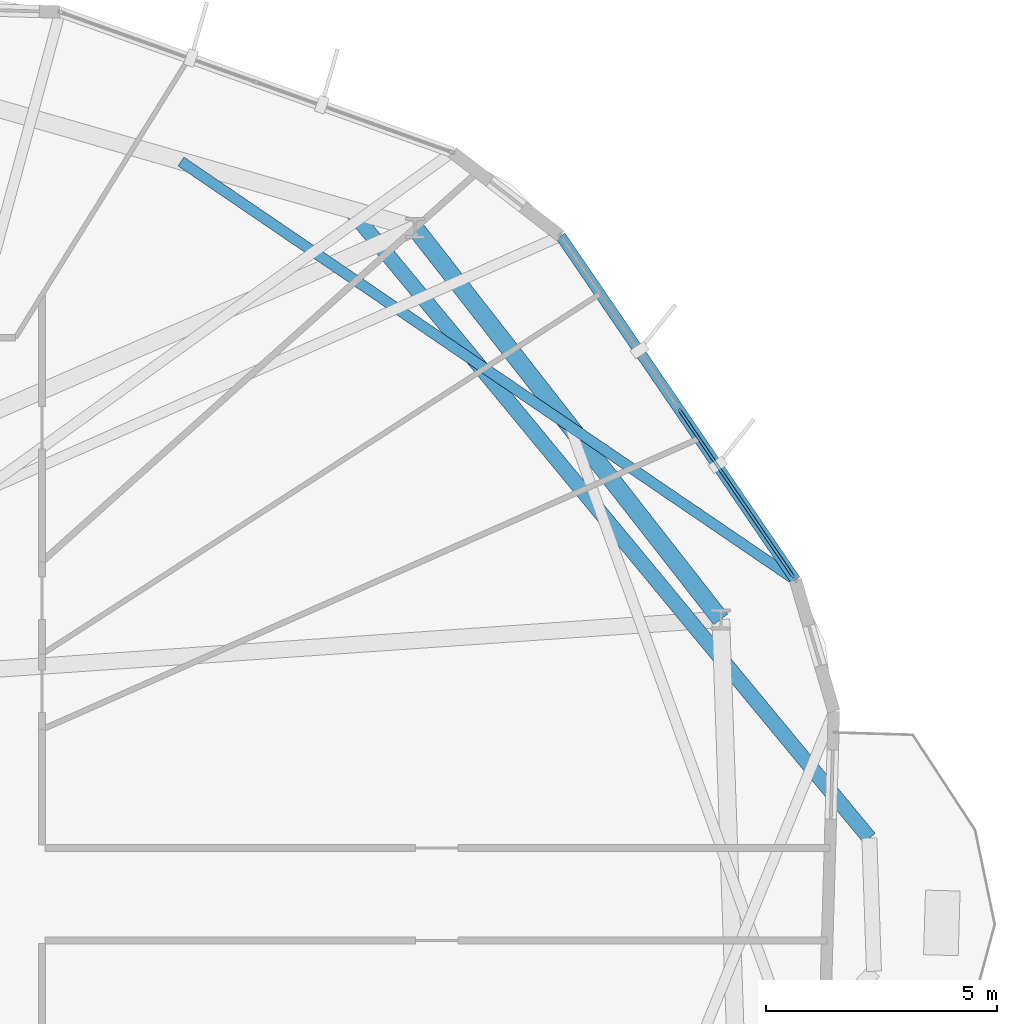
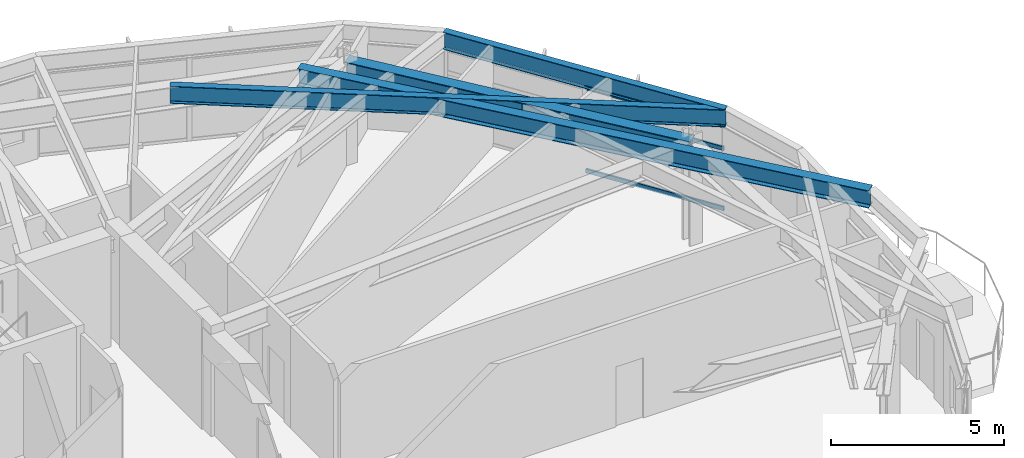
# One storey, part 12 of 24: 4 beams, 3 members, 1 element without a shape of its own.
"""IFC4 building model written with IfcOpenShell, lengths in metres."""

from ifc_helpers import new_model, si_unit, direction, frame, origin, origin_2d, place, context, subcontext, project, spatial, hollow_rectangle, i_section, extrude, material, layer, layer_set, material_profile, profile_set, type_object, element, aggregate, save


model = new_model("IFC4")

# Units and contexts
model_context = context("Model", 3, precision=1e-05, world=origin(), true_north=direction((0.0, 1.0)))
body_context = subcontext(model_context, "Body", "Model", "MODEL_VIEW")
ifc_project = project(units=[si_unit("LENGTHUNIT", "METRE"), si_unit("AREAUNIT", "SQUARE_METRE"), si_unit("VOLUMEUNIT", "CUBIC_METRE"), si_unit("PLANEANGLEUNIT", "RADIAN"), si_unit("MASSUNIT", "GRAM", prefix="KILO")], contexts=[model_context])

# Site, building, storey
site_placement = place(None, origin())
site = spatial("IfcSite", under=ifc_project, at=site_placement, CompositionType="ELEMENT")
building_placement = place(site_placement, origin())
building = spatial("IfcBuilding", under=site, at=building_placement, Name="Soratama Intermodal Tower", CompositionType="ELEMENT")
storey_placement = place(building_placement, frame((0.0, 0.0, 91.300048828125)))
storey = spatial("IfcBuildingStorey", under=building, at=storey_placement, Name="L21", CompositionType="ELEMENT", Elevation=91.300048828125)

# Beams
ifc_material_1 = material(Name="Structural steel ASTM A992 Grade 50", Category="steel")
ifc_material_profile_1 = material_profile(ifc_material_1, i_section(OverallWidth=0.324951171875, OverallDepth=0.615966796875, WebThickness=0.013916015625, FlangeThickness=0.021484375, FilletRadius=0.013916015625, at=origin_2d()), Name="W24X117")
ifc_profile_set_1 = profile_set([ifc_material_profile_1], Name="Structural steel ASTM A992 Grade 50")
beam_type_1 = type_object("IfcBeamType", Name="BM-CANT-W24X117", PredefinedType="BEAM", material=ifc_profile_set_1)
beam_1_placement = place(storey_placement, frame((53.347900390625, 39.798095703125, 3.2919921875), z_axis=(0.636849571405, -0.770988082528, 0.0), x_axis=(0.770988082528, 0.636849571405, 0.0)))
element("IfcBeam", 1, at=beam_1_placement, inside=storey, type_object=beam_type_1, Name="BM-L21-CANT-1-2", PredefinedType="BEAM", context=body_context, shape_type="SweptSolid", body=[
    extrude(i_section(OverallWidth=0.324951171875, OverallDepth=0.615966796875, WebThickness=0.013916015625, FlangeThickness=0.021484375, FilletRadius=0.013916015625, at=origin_2d()), origin(), (0.0, 0.0, 1.0), 17.616455078125),
])
ifc_material_2 = material(Name="Structural steel ASTM A992 Grade 50", Category="steel")
ifc_material_profile_2 = material_profile(ifc_material_2, i_section(OverallWidth=0.382080078125, OverallDepth=0.779052734375, WebThickness=0.01806640625, FlangeThickness=0.030029296875, FilletRadius=0.01806640625, at=origin_2d()), Name="W30X191")
ifc_profile_set_2 = profile_set([ifc_material_profile_2], Name="Structural steel ASTM A992 Grade 50")
beam_type_2 = type_object("IfcBeamType", Name="BM-RING-W30X191", PredefinedType="BEAM", material=ifc_profile_set_2)
beam_2_placement = place(storey_placement, frame((61.35107421875, 30.950927734375, 3.21044921875), z_axis=(-0.615683690883, 0.787993396407, 0.0), x_axis=(-0.787993396407, -0.615683690883, 0.0)))
element("IfcBeam", 2, at=beam_2_placement, inside=storey, type_object=beam_type_2, Name="BM-L21-RING-01", PredefinedType="BEAM", context=body_context, shape_type="SweptSolid", body=[
    extrude(i_section(OverallWidth=0.382080078125, OverallDepth=0.779052734375, WebThickness=0.01806640625, FlangeThickness=0.030029296875, FilletRadius=0.01806640625, at=origin_2d()), origin(), (0.0, 0.0, 1.0), 10.754150390625),
])
ifc_material_3 = material(Name="Structural steel ASTM A992 Grade 50", Category="steel")
ifc_material_profile_3 = material_profile(ifc_material_3, i_section(OverallWidth=0.22900390625, OverallDepth=0.612060546875, WebThickness=0.011962890625, FlangeThickness=0.01953125, FilletRadius=0.012939453125, at=origin_2d()), Name="W24X84")
ifc_profile_set_3 = profile_set([ifc_material_profile_3], Name="Structural steel ASTM A992 Grade 50")
beam_type_3 = type_object("IfcBeamType", Name="BM-SPN-W24X84", PredefinedType="SPANDREL", material=ifc_profile_set_3)
beam_3_placement = place(storey_placement, frame((62.966064453125, 31.805908203125, 3.2939453125), z_axis=(-0.563826534194, 0.825893237252, 0.0), x_axis=(-0.825893237252, -0.563826534194, 0.0)))
element("IfcBeam", 3, at=beam_3_placement, inside=storey, type_object=beam_type_3, Name="BS-L21-F01", PredefinedType="SPANDREL", context=body_context, shape_type="SweptSolid", body=[
    extrude(i_section(OverallWidth=0.22900390625, OverallDepth=0.612060546875, WebThickness=0.011962890625, FlangeThickness=0.01953125, FilletRadius=0.012939453125, at=origin_2d()), origin(), (0.0, 0.0, 1.0), 9.016845703125),
])
ifc_material_4 = material(Name="Structural steel ASTM A992 Grade 50", Category="steel")
ifc_material_profile_4 = material_profile(ifc_material_4, i_section(OverallWidth=0.22900390625, OverallDepth=0.612060546875, WebThickness=0.011962890625, FlangeThickness=0.01953125, FilletRadius=0.012939453125, at=origin_2d()), Name="W24X84")
ifc_profile_set_4 = profile_set([ifc_material_profile_4], Name="Structural steel ASTM A992 Grade 50")
beam_type_4 = type_object("IfcBeamType", Name="BM-TIE-W24X84", PredefinedType="BEAM", material=ifc_profile_set_4)
beam_4_placement = place(storey_placement, frame((49.660888671875, 40.865966796875, 3.2939453125), z_axis=(0.826564117761, -0.562842570555, 0.0), x_axis=(0.562842570555, 0.826564117761, 0.0)))
element("IfcBeam", 4, at=beam_4_placement, inside=storey, type_object=beam_type_4, Name="BM-L21-TIE0-01", PredefinedType="BEAM", context=body_context, shape_type="SweptSolid", body=[
    extrude(i_section(OverallWidth=0.22900390625, OverallDepth=0.612060546875, WebThickness=0.011962890625, FlangeThickness=0.01953125, FilletRadius=0.012939453125, at=origin_2d()), origin(), (0.0, 0.0, 1.0), 16.096923828125),
])

# Curtain wall, members
ifc_material_5 = material(Name="Double-glazed aluminium curtain wall", Category="aluminium")
ifc_layer = layer(ifc_material_5, 0.159912109375)
ifc_layer_set = layer_set([ifc_layer], Name="Double-glazed aluminium curtain wall")
curtain_wall_type = type_object("IfcCurtainWallType", Name="CW-SYS-3", PredefinedType="NOTDEFINED", material=ifc_layer_set)
curtain_wall_placement = place(storey_placement, origin())
curtain_wall = element("IfcCurtainWall", 5, at=curtain_wall_placement, inside=storey, type_object=curtain_wall_type, Name="L21 Faceted Curtain Wall F01", PredefinedType="NOTDEFINED")
ifc_material_6 = material(Name="Anodised aluminium AA 6063-T6", Category="aluminium")
ifc_material_profile_5 = material_profile(ifc_material_6, hollow_rectangle(XDim=0.06494140625, YDim=0.14990234375, WallThickness=0.0048828125, InnerFilletRadius=0.0048828125, OuterFilletRadius=0.010009765625, at=origin_2d()), Name="CWT150X65X5")
ifc_profile_set_5 = profile_set([ifc_material_profile_5], Name="Anodised aluminium AA 6063-T6")
member_type = type_object("IfcMemberType", Name="TT-CWT-1", PredefinedType="USERDEFINED", material=ifc_profile_set_5)
member_1_placement = place(storey_placement, frame((62.93212890625, 31.85546875, 0.030029296875), z_axis=(-0.563821942708, 0.825896371781, 0.0), x_axis=(-0.825896371781, -0.563821942708, 0.0)))
member_1 = element("IfcMember", 6, at=member_1_placement, type_object=member_type, Name="CW-3 transom 1.1", ObjectType="TRANSOM", PredefinedType="USERDEFINED", context=body_context, shape_type="SweptSolid", body=[
    extrude(hollow_rectangle(XDim=0.06494140625, YDim=0.14990234375, WallThickness=0.0048828125, InnerFilletRadius=0.0048828125, OuterFilletRadius=0.010009765625, at=origin_2d()), origin(), (0.0, 0.0, 1.0), 4.41845703125),
])
member_2_placement = place(storey_placement, frame((62.93212890625, 31.85546875, 2.14990234375), z_axis=(-0.563821942708, 0.825896371781, 0.0), x_axis=(-0.825896371781, -0.563821942708, 0.0)))
member_2 = element("IfcMember", 7, at=member_2_placement, type_object=member_type, Name="CW-3 transom 1.2", ObjectType="TRANSOM", PredefinedType="USERDEFINED", context=body_context, shape_type="SweptSolid", body=[
    extrude(hollow_rectangle(XDim=0.06494140625, YDim=0.14990234375, WallThickness=0.0048828125, InnerFilletRadius=0.0048828125, OuterFilletRadius=0.010009765625, at=origin_2d()), origin(), (0.0, 0.0, 1.0), 4.41845703125),
])
member_3_placement = place(storey_placement, frame((62.93212890625, 31.85546875, 2.948974609375), z_axis=(-0.563821942708, 0.825896371781, 0.0), x_axis=(-0.825896371781, -0.563821942708, 0.0)))
member_3 = element("IfcMember", 8, at=member_3_placement, type_object=member_type, Name="CW-3 transom 1.3", ObjectType="TRANSOM", PredefinedType="USERDEFINED", context=body_context, shape_type="SweptSolid", body=[
    extrude(hollow_rectangle(XDim=0.06494140625, YDim=0.14990234375, WallThickness=0.0048828125, InnerFilletRadius=0.0048828125, OuterFilletRadius=0.010009765625, at=origin_2d()), origin(), (0.0, 0.0, 1.0), 4.41845703125),
])
aggregate(curtain_wall, [member_1, member_2, member_3])

save(model, "model.ifc")
